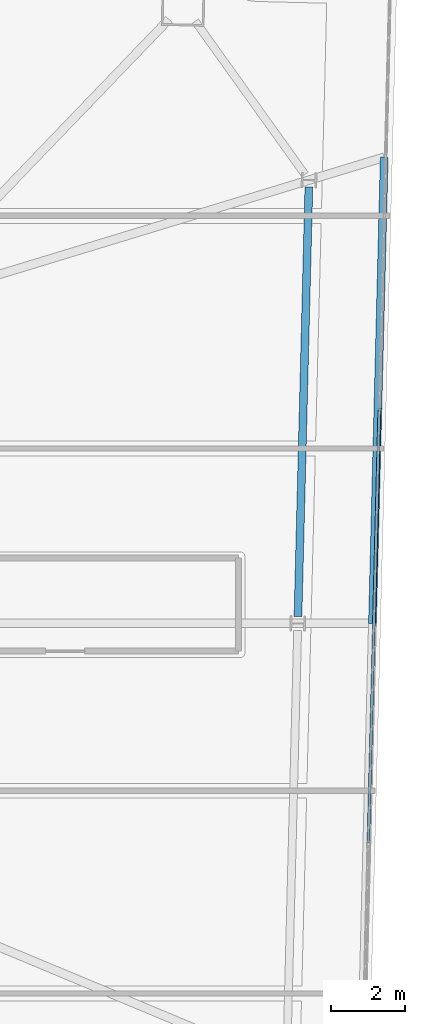
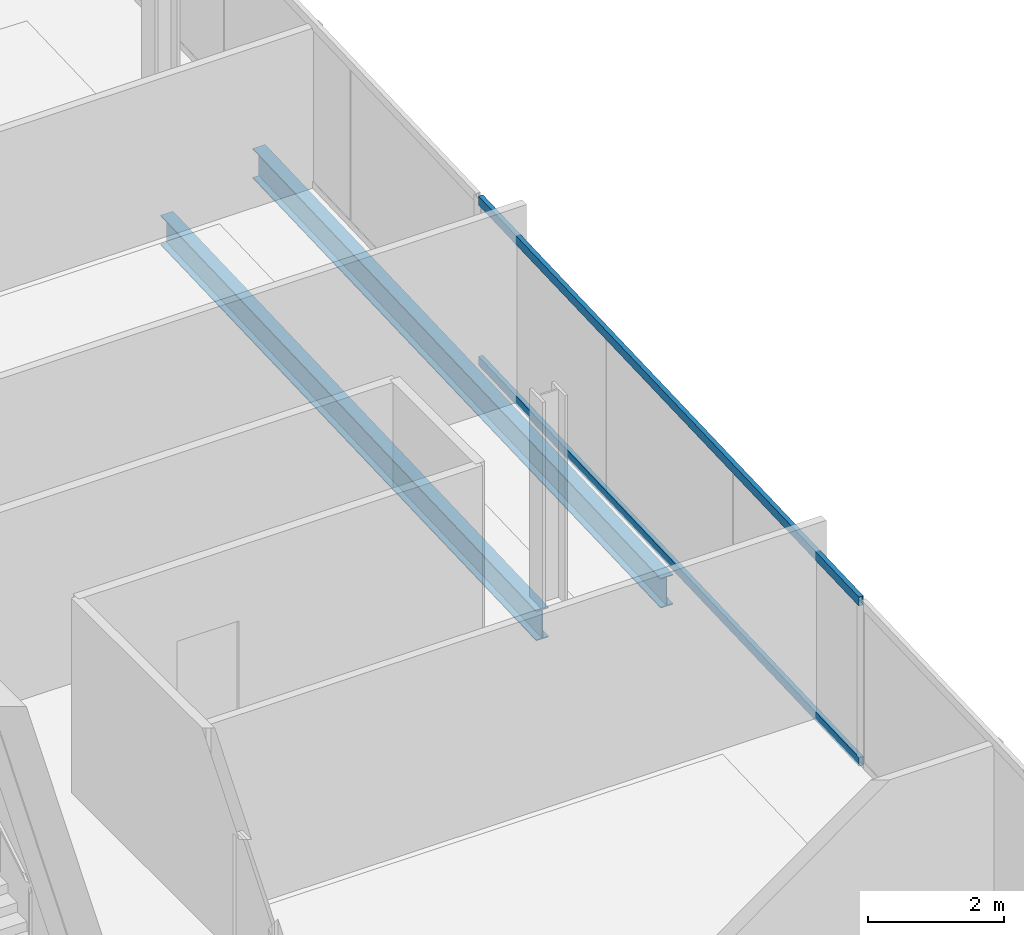
# One storey, part 11 of 25: 2 beams, 2 members, 1 element without a shape of its own.
"""IFC4 building model written with IfcOpenShell, lengths in metres."""

from ifc_helpers import new_model, si_unit, direction, frame, origin, origin_2d, place, context, subcontext, project, spatial, hollow_rectangle, i_section, extrude, material, material_profile, profile_set, type_object, element, aggregate, save


model = new_model("IFC4")

# Units and contexts
model_context = context("Model", 3, precision=1e-05, world=origin(), true_north=direction((0.0, 1.0)))
body_context = subcontext(model_context, "Body", "Model", "MODEL_VIEW")
ifc_project = project(units=[si_unit("LENGTHUNIT", "METRE"), si_unit("AREAUNIT", "SQUARE_METRE"), si_unit("VOLUMEUNIT", "CUBIC_METRE"), si_unit("PLANEANGLEUNIT", "RADIAN"), si_unit("MASSUNIT", "GRAM", prefix="KILO")], contexts=[model_context])

# Site, building, storey
site_placement = place(None, origin())
site = spatial("IfcSite", under=ifc_project, at=site_placement, CompositionType="ELEMENT")
building_placement = place(site_placement, origin())
building = spatial("IfcBuilding", under=site, at=building_placement, Name="Haldenkirk Collegiate Tower", CompositionType="ELEMENT")
storey_placement = place(building_placement, frame((0.0, 0.0, 325.199951171875)))
storey = spatial("IfcBuildingStorey", under=building, at=storey_placement, Name="L82", CompositionType="ELEMENT", Elevation=325.199951171875)

# Beams
ifc_material_1 = material(Name="Steel ASTM A992 Grade 50", Category="steel")
ifc_material_profile_1 = material_profile(ifc_material_1, i_section(OverallWidth=0.2099609375, OverallDepth=0.537109375, WebThickness=0.010986328125, FlangeThickness=0.017333984375, at=origin_2d()), Name="W21X68")
ifc_profile_set_1 = profile_set([ifc_material_profile_1], Name="Steel ASTM A992 Grade 50")
beam_type = type_object("IfcBeamType", Name="BM-SPANDREL-W21X68", PredefinedType="SPANDREL", material=ifc_profile_set_1)
beam_1_placement = place(storey_placement, frame((55.8984375, 25.684326171875, -0.528564453125), z_axis=(0.025302458902, 0.999679841536, 0.0), x_axis=(-0.999679841536, 0.025302458902, 0.0)))
element("IfcBeam", 1, at=beam_1_placement, inside=storey, type_object=beam_type, Name="L82 perimeter spandrel beam 03", PredefinedType="SPANDREL", context=body_context, shape_type="SweptSolid", body=[
    extrude(i_section(OverallWidth=0.2099609375, OverallDepth=0.537109375, WebThickness=0.010986328125, FlangeThickness=0.017333984375, at=origin_2d()), origin(), (0.0, 0.0, 1.0), 11.5400390625),
])
beam_2_placement = place(storey_placement, frame((57.8994140625, 25.496337890625, -0.528564453125), z_axis=(0.025287644863, 0.999680216378, 0.0), x_axis=(-0.999680216378, 0.025287644863, 0.0)))
element("IfcBeam", 2, at=beam_2_placement, inside=storey, type_object=beam_type, Name="L82 outer facade edge beam 1B", PredefinedType="SPANDREL", context=body_context, shape_type="SweptSolid", body=[
    extrude(i_section(OverallWidth=0.2099609375, OverallDepth=0.537109375, WebThickness=0.010986328125, FlangeThickness=0.017333984375, at=origin_2d()), origin(), (0.0, 0.0, 1.0), 12.531494140625),
])

# Curtain wall, members
ifc_material_2 = material(Name="Anodised architectural bronze aluminium", Category="aluminium")
curtain_wall_type = type_object("IfcCurtainWallType", Name="CW-SYS2-CONCAVE", PredefinedType="USERDEFINED", material=ifc_material_2)
curtain_wall_placement = place(storey_placement, origin())
curtain_wall = element("IfcCurtainWall", 3, at=curtain_wall_placement, inside=storey, type_object=curtain_wall_type, Name="L82 South concave recessed bronze-anodised curtain wall", ObjectType="UNITISED CURTAIN WALL", PredefinedType="USERDEFINED")
ifc_material_profile_2 = material_profile(ifc_material_2, hollow_rectangle(XDim=0.074951171875, YDim=0.159912109375, WallThickness=0.0048828125, at=origin_2d()), Name="CW-TRN-02")
ifc_profile_set_2 = profile_set([ifc_material_profile_2], Name="Anodised architectural bronze aluminium")
member_type = type_object("IfcMemberType", Name="CW-TRN-02", PredefinedType="USERDEFINED", material=ifc_profile_set_2)
member_1_placement = place(storey_placement, frame((58.0859375, 31.288818359375, 0.03759765625), z_axis=(-0.025308346645, -0.999679692497, 0.0), x_axis=(0.999679692497, -0.025308346645, 0.0)))
member_1 = element("IfcMember", 4, at=member_1_placement, type_object=member_type, Name="CW-02 transom 2.1", ObjectType="TRANSOM", PredefinedType="USERDEFINED", context=body_context, shape_type="SweptSolid", body=[
    extrude(hollow_rectangle(XDim=0.074951171875, YDim=0.159912109375, WallThickness=0.0048828125, at=origin_2d()), origin(), (0.0, 0.0, 1.0), 11.691650390625),
])
member_2_placement = place(storey_placement, frame((58.0859375, 31.288818359375, 2.91064453125), z_axis=(-0.025308346645, -0.999679692497, 0.0), x_axis=(0.999679692497, -0.025308346645, 0.0)))
member_2 = element("IfcMember", 5, at=member_2_placement, type_object=member_type, Name="CW-02 transom 2.2", ObjectType="TRANSOM", PredefinedType="USERDEFINED", context=body_context, shape_type="SweptSolid", body=[
    extrude(hollow_rectangle(XDim=0.074951171875, YDim=0.159912109375, WallThickness=0.0048828125, at=origin_2d()), origin(), (0.0, 0.0, 1.0), 11.691650390625),
])
aggregate(curtain_wall, [member_1, member_2])

save(model, "model.ifc")
